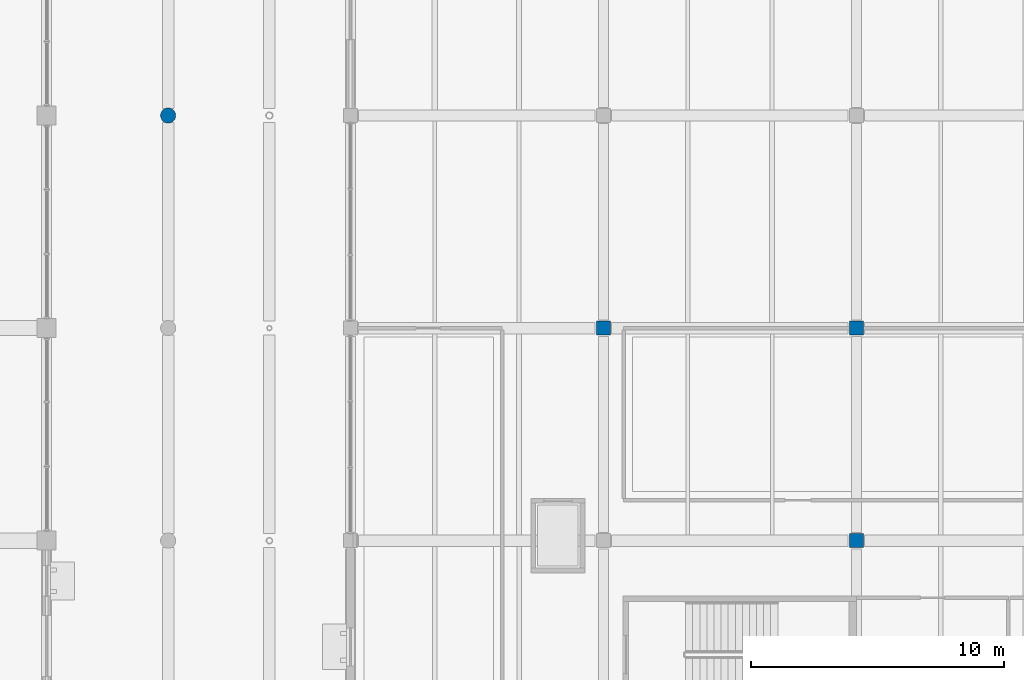
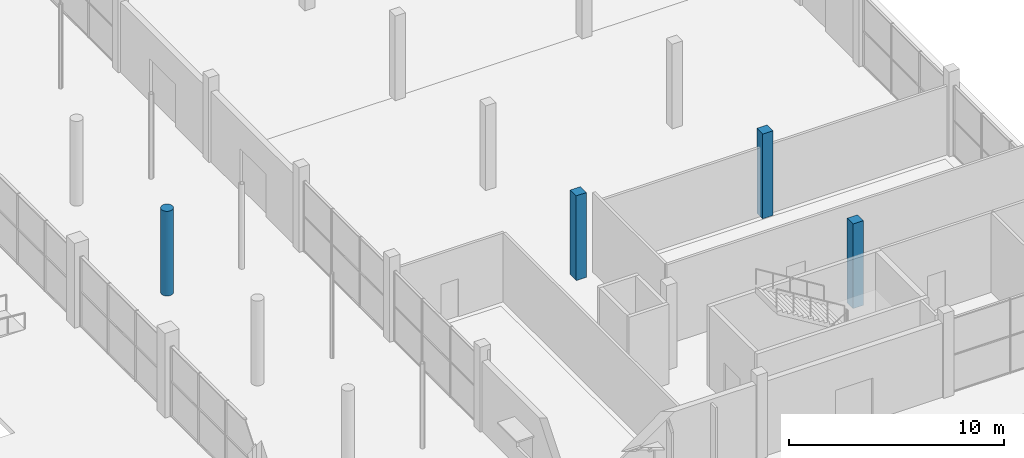
# One storey, part 5 of 130: 4 columns.
"""IFC4 building model written with IfcOpenShell, lengths in metres."""

from ifc_helpers import new_model, si_unit, direction, frame, origin, origin_2d, place, context, subcontext, project, spatial, rectangle, circle, extrude, material, material_profile, profile_set, type_object, element, save


model = new_model("IFC4")

# Units and contexts
model_context = context("Model", 3, precision=1e-05, world=origin(), true_north=direction((0.0, 1.0)))
body_context = subcontext(model_context, "Body", "Model", "MODEL_VIEW")
ifc_project = project(units=[si_unit("LENGTHUNIT", "METRE"), si_unit("AREAUNIT", "SQUARE_METRE"), si_unit("VOLUMEUNIT", "CUBIC_METRE"), si_unit("PLANEANGLEUNIT", "RADIAN"), si_unit("MASSUNIT", "GRAM", prefix="KILO"), si_unit("THERMODYNAMICTEMPERATUREUNIT", "KELVIN")], contexts=[model_context])

# Site, building, storey
site_placement = place(None, origin())
site = spatial("IfcSite", under=ifc_project, at=site_placement, CompositionType="ELEMENT")
building_placement = place(site_placement, origin())
building = spatial("IfcBuilding", under=site, at=building_placement, Name="Nduvali Passage Aquatics Centre", CompositionType="ELEMENT")
storey_placement = place(building_placement, origin())
storey = spatial("IfcBuildingStorey", under=building, at=storey_placement, Name="L00", CompositionType="ELEMENT", Elevation=0.0)

# Columns
ifc_material = material(Name="Concrete C40/50", Category="concrete")
ifc_material_profile_1 = material_profile(ifc_material, rectangle(XDim=0.550048828125, YDim=0.550048828125, at=origin_2d()), Name="RC 550x550")
ifc_profile_set_1 = profile_set([ifc_material_profile_1], Name="Concrete C40/50")
column_type_1 = type_object("IfcColumnType", Name="STR-COL-RC550", PredefinedType="COLUMN", material=ifc_profile_set_1)
for number, where, z_axis, x_axis, name in (
    (1, (148.0, 42.0, 0.0), (0.0, 0.0, 1.0), (1.0, 0.0, 0.0), "L00 Column C4 (148.0, 42.0)"),
    (2, (158.0, 33.60009765625, 0.0), (0.0, 0.0, 1.0), (1.0, 0.0, 0.0), "L00 Column C4 (158.0, 33.6)"),
    (3, (158.0, 42.0, 0.0), (0.0, 0.0, 1.0), (1.0, 0.0, 0.0), "L00 Column C4 (158.0, 42.0)"),
):
    element("IfcColumn", number, at=place(storey_placement, frame(where, z_axis=z_axis, x_axis=x_axis)), inside=storey, type_object=column_type_1, Name=name, PredefinedType="COLUMN", context=body_context, shape_type="SweptSolid", body=[
        extrude(rectangle(XDim=0.550048828125, YDim=0.550048828125, at=origin_2d()), origin(), (0.0, 0.0, 1.0), 4.800048828125),
    ])
ifc_material_profile_2 = material_profile(ifc_material, circle(Radius=0.300048828125, at=origin_2d()), Name="RC D600")
ifc_profile_set_2 = profile_set([ifc_material_profile_2], Name="Concrete C40/50")
column_type_2 = type_object("IfcColumnType", Name="STR-PIL-D600-EXT", PredefinedType="PILASTER", material=ifc_profile_set_2)
column_placement = place(storey_placement, frame((130.800048828125, 50.39990234375, 0.0), z_axis=(0.0, 0.0, 1.0), x_axis=(1.0, 0.0, 0.0)))
element("IfcColumn", 4, at=column_placement, inside=storey, type_object=column_type_2, Name="L00 Column CP1E (130.8, 50.4)", PredefinedType="PILASTER", context=body_context, shape_type="SweptSolid", body=[
    extrude(circle(Radius=0.300048828125, at=origin_2d()), origin(), (0.0, 0.0, 1.0), 4.800048828125),
])

save(model, "model.ifc")
